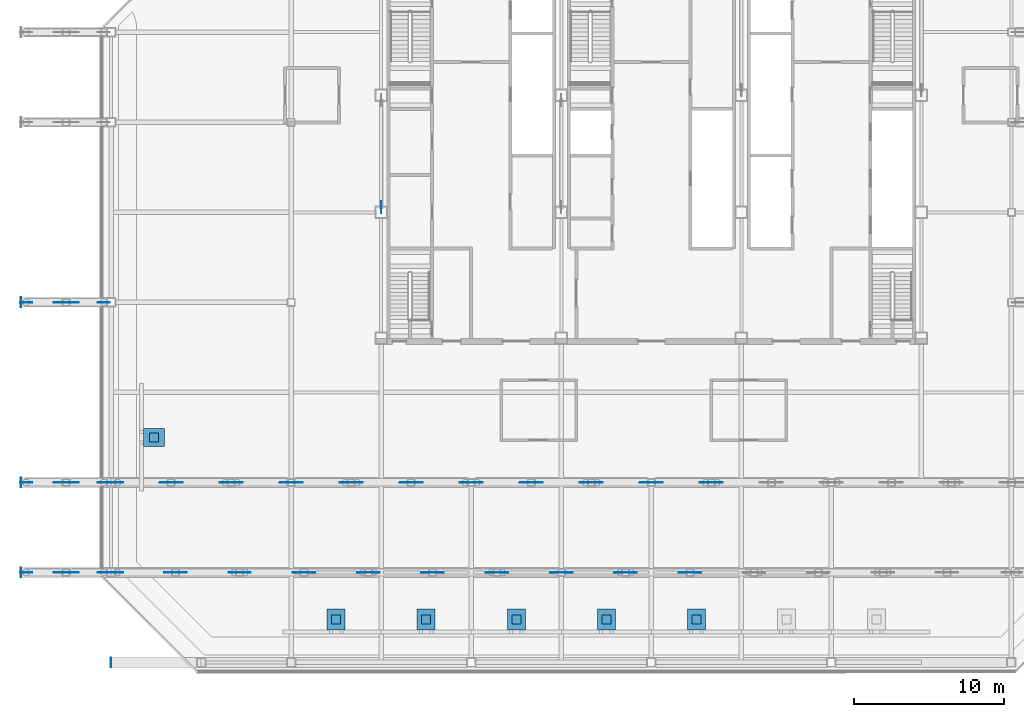
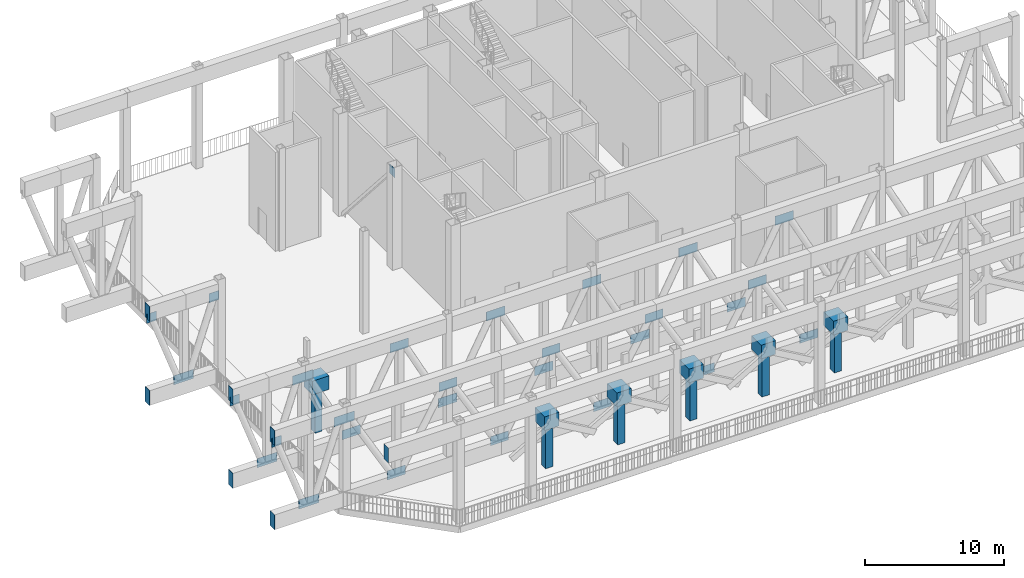
# One storey, part 11 of 22: 48 discrete accessories.
"""IFC4 building model written with IfcOpenShell, lengths in metres."""

from ifc_helpers import new_model, si_unit, direction, frame, origin, origin_2d, place, context, subcontext, project, spatial, rectangle, extrude, material, layer, layer_set, type_object, element, save


model = new_model("IFC4")

# Units and contexts
model_context = context("Model", 3, precision=1e-05, world=origin(), true_north=direction((0.0, 1.0)))
body_context = subcontext(model_context, "Body", "Model", "MODEL_VIEW")
ifc_project = project(units=[si_unit("LENGTHUNIT", "METRE"), si_unit("AREAUNIT", "SQUARE_METRE"), si_unit("VOLUMEUNIT", "CUBIC_METRE"), si_unit("PLANEANGLEUNIT", "RADIAN"), si_unit("MASSUNIT", "GRAM", prefix="KILO")], contexts=[model_context])

# Site, building, storey
site_placement = place(None, origin())
site = spatial("IfcSite", under=ifc_project, at=site_placement, CompositionType="ELEMENT")
building_placement = place(site_placement, origin())
building = spatial("IfcBuilding", under=site, at=building_placement, Name="Sorahane Residences", CompositionType="ELEMENT")
storey_placement = place(building_placement, frame((0.0, 0.0, 281.800048828125)))
storey = spatial("IfcBuildingStorey", under=building, at=storey_placement, Name="L67", CompositionType="ELEMENT", Elevation=281.800048828125)

# Discrete accessories
ifc_material_1 = material(Name="Steel Q420GJ", Category="steel")
ifc_layer_1 = layer(ifc_material_1, 0.02001953125)
ifc_layer_set_1 = layer_set([ifc_layer_1], Name="End plate Steel Q420GJ 650x1300x20")
discrete_accessory_type_1 = type_object("IfcDiscreteAccessoryType", Name="End plate Steel Q420GJ 650x1300x20", PredefinedType="USERDEFINED", material=ifc_layer_set_1)
for number, where, z_axis, x_axis, name in (
    (1, (-12.010009765625, 0.0, 7.39990234375), (0.0, 0.0, 1.0), (1.0, 0.0, 0.0), "End plate L67"),
    (2, (-18.010009765625, 12.0, 0.0), (0.0, 0.0, 1.0), (1.0, 0.0, 0.0), "End plate L67"),
    (3, (-18.010009765625, 12.0, 7.39990234375), (0.0, 0.0, 1.0), (1.0, 0.0, 0.0), "End plate L67"),
    (4, (-18.010009765625, 24.0, 0.0), (0.0, 0.0, 1.0), (1.0, 0.0, 0.0), "End plate L67"),
    (5, (-18.010009765625, 24.0, 7.39990234375), (0.0, 0.0, 1.0), (1.0, 0.0, 0.0), "End plate L67"),
    (6, (-18.010009765625, 6.0, 0.0), (0.0, 0.0, 1.0), (1.0, 0.0, 0.0), "End plate L67"),
    (7, (-18.010009765625, 6.0, 7.39990234375), (0.0, 0.0, 1.0), (1.0, 0.0, 0.0), "End plate L67"),
):
    element("IfcDiscreteAccessory", number, at=place(storey_placement, frame(where, z_axis=z_axis, x_axis=x_axis)), inside=storey, type_object=discrete_accessory_type_1, Name=name, ObjectType="END PLATE", PredefinedType="USERDEFINED", context=body_context, shape_type="SweptSolid", body=[
        extrude(rectangle(XDim=0.02001953125, YDim=0.64990234375, at=origin_2d()), origin(), (0.0, 0.0, 1.0), 1.300048828125),
    ])
ifc_material_2 = material(Name="Steel Q355B", Category="steel")
ifc_layer_2 = layer(ifc_material_2, 0.02490234375)
ifc_layer_set_2 = layer_set([ifc_layer_2], Name="Node plate Steel Q355B 25")
discrete_accessory_type_2 = type_object("IfcDiscreteAccessoryType", Name="Node plate Steel Q355B 25", PredefinedType="BRACKET", material=ifc_layer_set_2)
discrete_accessory_1_placement = place(storey_placement, frame((6.0, 30.343505859375, 7.78955078125), z_axis=(0.0, 0.0, 1.0), x_axis=(0.0, 1.0, 0.0)))
element("IfcDiscreteAccessory", 8, at=discrete_accessory_1_placement, inside=storey, type_object=discrete_accessory_type_2, Name="Node plate L67 br", PredefinedType="BRACKET", context=body_context, shape_type="SweptSolid", body=[
    extrude(rectangle(XDim=0.800048828125, YDim=0.02490234375, at=origin_2d()), origin(), (0.0, 0.0, 1.0), 0.800048828125),
])
ifc_material_3 = material(Name="Steel Q420GJ", Category="steel")
ifc_layer_3 = layer(ifc_material_3, 0.02490234375)
ifc_layer_set_3 = layer_set([ifc_layer_3], Name="Node plate Steel Q420GJ 25")
discrete_accessory_type_3 = type_object("IfcDiscreteAccessoryType", Name="Node plate Steel Q420GJ 25", PredefinedType="BRACKET", material=ifc_layer_set_3)
discrete_accessory_2_placement = place(storey_placement, frame((-14.995849609375, 6.0, 0.85107421875), z_axis=(0.0, 0.0, 1.0), x_axis=(1.0, 0.0, 0.0)))
element("IfcDiscreteAccessory", 9, at=discrete_accessory_2_placement, inside=storey, type_object=discrete_accessory_type_3, Name="Node plate L67 tr", PredefinedType="BRACKET", context=body_context, shape_type="SweptSolid", body=[
    extrude(rectangle(XDim=1.66162109375, YDim=0.02490234375, at=origin_2d()), origin(), (0.0, 0.0, 1.0), 0.802490234375),
])
discrete_accessory_3_placement = place(storey_placement, frame((-7.716064453125, 6.0, 0.833984375), z_axis=(0.0, 0.0, 1.0), x_axis=(1.0, 0.0, 0.0)))
element("IfcDiscreteAccessory", 10, at=discrete_accessory_3_placement, inside=storey, type_object=discrete_accessory_type_3, Name="Node plate L67 tr", PredefinedType="BRACKET", context=body_context, shape_type="SweptSolid", body=[
    extrude(rectangle(XDim=1.500732421875, YDim=0.02490234375, at=origin_2d()), origin(), (0.0, 0.0, 1.0), 0.800537109375),
])
for number, where, z_axis, x_axis, name in (
    (11, (0.857177734375, 6.0, 0.833984375), (0.0, 0.0, 1.0), (1.0, 0.0, 0.0), "Node plate L67 tr"),
    (12, (9.4287109375, 6.0, 0.833984375), (0.0, 0.0, 1.0), (1.0, 0.0, 0.0), "Node plate L67 tr"),
    (13, (18.0, 6.0, 0.833984375), (0.0, 0.0, 1.0), (1.0, 0.0, 0.0), "Node plate L67 tr"),
    (14, (26.5712890625, 6.0, 0.833984375), (0.0, 0.0, 1.0), (1.0, 0.0, 0.0), "Node plate L67 tr"),
):
    element("IfcDiscreteAccessory", number, at=place(storey_placement, frame(where, z_axis=z_axis, x_axis=x_axis)), inside=storey, type_object=discrete_accessory_type_3, Name=name, PredefinedType="BRACKET", context=body_context, shape_type="SweptSolid", body=[
        extrude(rectangle(XDim=1.4970703125, YDim=0.02490234375, at=origin_2d()), origin(), (0.0, 0.0, 1.0), 0.800048828125),
    ])
discrete_accessory_4_placement = place(storey_placement, frame((-17.67333984375, 6.0, 7.048828125), z_axis=(0.0, 0.0, 1.0), x_axis=(1.0, 0.0, 0.0)))
element("IfcDiscreteAccessory", 15, at=discrete_accessory_4_placement, inside=storey, type_object=discrete_accessory_type_3, Name="Node plate L67 tr", PredefinedType="BRACKET", context=body_context, shape_type="SweptSolid", body=[
    extrude(rectangle(XDim=0.800048828125, YDim=0.02490234375, at=origin_2d()), origin(), (0.0, 0.0, 1.0), 0.800048828125),
])
discrete_accessory_5_placement = place(storey_placement, frame((-12.04150390625, 6.0, 7.04638671875), z_axis=(0.0, 0.0, 1.0), x_axis=(1.0, 0.0, 0.0)))
element("IfcDiscreteAccessory", 16, at=discrete_accessory_5_placement, inside=storey, type_object=discrete_accessory_type_3, Name="Node plate L67 tr", PredefinedType="BRACKET", context=body_context, shape_type="SweptSolid", body=[
    extrude(rectangle(XDim=1.687255859375, YDim=0.02490234375, at=origin_2d()), origin(), (0.0, 0.0, 1.0), 0.818603515625),
])
for number, where, z_axis, x_axis, name in (
    (17, (-3.4287109375, 6.0, 7.06591796875), (0.0, 0.0, 1.0), (1.0, 0.0, 0.0), "Node plate L67 tr"),
    (18, (5.142822265625, 6.0, 7.06591796875), (0.0, 0.0, 1.0), (1.0, 0.0, 0.0), "Node plate L67 tr"),
    (19, (13.71435546875, 6.0, 7.06591796875), (0.0, 0.0, 1.0), (1.0, 0.0, 0.0), "Node plate L67 tr"),
    (20, (22.28564453125, 6.0, 7.06591796875), (0.0, 0.0, 1.0), (1.0, 0.0, 0.0), "Node plate L67 tr"),
):
    element("IfcDiscreteAccessory", number, at=place(storey_placement, frame(where, z_axis=z_axis, x_axis=x_axis)), inside=storey, type_object=discrete_accessory_type_3, Name=name, PredefinedType="BRACKET", context=body_context, shape_type="SweptSolid", body=[
        extrude(rectangle(XDim=1.4970703125, YDim=0.02490234375, at=origin_2d()), origin(), (0.0, 0.0, 1.0), 0.800048828125),
    ])
discrete_accessory_6_placement = place(storey_placement, frame((-14.995849609375, 12.0, 0.85107421875), z_axis=(0.0, 0.0, 1.0), x_axis=(1.0, 0.0, 0.0)))
element("IfcDiscreteAccessory", 21, at=discrete_accessory_6_placement, inside=storey, type_object=discrete_accessory_type_3, Name="Node plate L67 tr", PredefinedType="BRACKET", context=body_context, shape_type="SweptSolid", body=[
    extrude(rectangle(XDim=1.66162109375, YDim=0.02490234375, at=origin_2d()), origin(), (0.0, 0.0, 1.0), 0.802490234375),
])
discrete_accessory_7_placement = place(storey_placement, frame((-8.001708984375, 12.0, 0.837646484375), z_axis=(0.0, 0.0, 1.0), x_axis=(1.0, 0.0, 0.0)))
element("IfcDiscreteAccessory", 22, at=discrete_accessory_7_placement, inside=storey, type_object=discrete_accessory_type_3, Name="Node plate L67 tr", PredefinedType="BRACKET", context=body_context, shape_type="SweptSolid", body=[
    extrude(rectangle(XDim=1.54150390625, YDim=0.02490234375, at=origin_2d()), origin(), (0.0, 0.0, 1.0), 0.80078125),
])
for number, where, z_axis, x_axis, name in (
    (23, (0.0, 12.0, 0.837890625), (0.0, 0.0, 1.0), (1.0, 0.0, 0.0), "Node plate L67 tr"),
    (24, (8.0, 12.0, 0.837890625), (0.0, 0.0, 1.0), (1.0, 0.0, 0.0), "Node plate L67 tr"),
    (25, (16.0, 12.0, 0.837890625), (0.0, 0.0, 1.0), (1.0, 0.0, 0.0), "Node plate L67 tr"),
    (26, (24.0, 12.0, 0.837890625), (0.0, 0.0, 1.0), (1.0, 0.0, 0.0), "Node plate L67 tr"),
):
    element("IfcDiscreteAccessory", number, at=place(storey_placement, frame(where, z_axis=z_axis, x_axis=x_axis)), inside=storey, type_object=discrete_accessory_type_3, Name=name, PredefinedType="BRACKET", context=body_context, shape_type="SweptSolid", body=[
        extrude(rectangle(XDim=1.5380859375, YDim=0.02490234375, at=origin_2d()), origin(), (0.0, 0.0, 1.0), 0.800048828125),
    ])
discrete_accessory_8_placement = place(storey_placement, frame((-17.67333984375, 12.0, 7.048828125), z_axis=(0.0, 0.0, 1.0), x_axis=(1.0, 0.0, 0.0)))
element("IfcDiscreteAccessory", 27, at=discrete_accessory_8_placement, inside=storey, type_object=discrete_accessory_type_3, Name="Node plate L67 tr", PredefinedType="BRACKET", context=body_context, shape_type="SweptSolid", body=[
    extrude(rectangle(XDim=0.800048828125, YDim=0.02490234375, at=origin_2d()), origin(), (0.0, 0.0, 1.0), 0.800048828125),
])
discrete_accessory_9_placement = place(storey_placement, frame((-12.03125, 12.0, 7.046630859375), z_axis=(0.0, 0.0, 1.0), x_axis=(1.0, 0.0, 0.0)))
element("IfcDiscreteAccessory", 28, at=discrete_accessory_9_placement, inside=storey, type_object=discrete_accessory_type_3, Name="Node plate L67 tr", PredefinedType="BRACKET", context=body_context, shape_type="SweptSolid", body=[
    extrude(rectangle(XDim=1.70751953125, YDim=0.02490234375, at=origin_2d()), origin(), (0.0, 0.0, 1.0), 0.81494140625),
])
for number, where, z_axis, x_axis, name in (
    (29, (-4.0, 12.0, 7.06201171875), (0.0, 0.0, 1.0), (1.0, 0.0, 0.0), "Node plate L67 tr"),
    (30, (4.0, 12.0, 7.06201171875), (0.0, 0.0, 1.0), (1.0, 0.0, 0.0), "Node plate L67 tr"),
    (31, (12.0, 12.0, 7.06201171875), (0.0, 0.0, 1.0), (1.0, 0.0, 0.0), "Node plate L67 tr"),
    (32, (20.0, 12.0, 7.06201171875), (0.0, 0.0, 1.0), (1.0, 0.0, 0.0), "Node plate L67 tr"),
    (33, (28.0, 12.0, 7.06201171875), (0.0, 0.0, 1.0), (1.0, 0.0, 0.0), "Node plate L67 tr"),
):
    element("IfcDiscreteAccessory", number, at=place(storey_placement, frame(where, z_axis=z_axis, x_axis=x_axis)), inside=storey, type_object=discrete_accessory_type_3, Name=name, PredefinedType="BRACKET", context=body_context, shape_type="SweptSolid", body=[
        extrude(rectangle(XDim=1.5380859375, YDim=0.02490234375, at=origin_2d()), origin(), (0.0, 0.0, 1.0), 0.800048828125),
    ])
discrete_accessory_10_placement = place(storey_placement, frame((-14.995849609375, 24.0, 0.85107421875), z_axis=(0.0, 0.0, 1.0), x_axis=(1.0, 0.0, 0.0)))
element("IfcDiscreteAccessory", 34, at=discrete_accessory_10_placement, inside=storey, type_object=discrete_accessory_type_3, Name="Node plate L67 tr", PredefinedType="BRACKET", context=body_context, shape_type="SweptSolid", body=[
    extrude(rectangle(XDim=1.66162109375, YDim=0.02490234375, at=origin_2d()), origin(), (0.0, 0.0, 1.0), 0.802490234375),
])
for number, where, z_axis, x_axis, name in (
    (35, (-17.67333984375, 24.0, 7.048828125), (0.0, 0.0, 1.0), (1.0, 0.0, 0.0), "Node plate L67 tr"),
    (36, (-12.485107421875, 24.0, 7.04638671875), (0.0, 0.0, 1.0), (1.0, 0.0, 0.0), "Node plate L67 tr"),
):
    element("IfcDiscreteAccessory", number, at=place(storey_placement, frame(where, z_axis=z_axis, x_axis=x_axis)), inside=storey, type_object=discrete_accessory_type_3, Name=name, PredefinedType="BRACKET", context=body_context, shape_type="SweptSolid", body=[
        extrude(rectangle(XDim=0.800048828125, YDim=0.02490234375, at=origin_2d()), origin(), (0.0, 0.0, 1.0), 0.800048828125),
    ])
ifc_material_4 = material(Name="Black powder-coated steel mast", Category="steel")
discrete_accessory_type_4 = type_object("IfcDiscreteAccessoryType", Name="Wind generator mast dark steel 600", PredefinedType="USERDEFINED", material=ifc_material_4)
for number, where, z_axis, x_axis, name in (
    (37, (3.0, 2.85009765625, 0.0), (0.0, 0.0, 1.0), (1.0, 0.0, 0.0), "Wind generator mast L67-02"),
    (38, (9.0, 2.85009765625, 0.0), (0.0, 0.0, 1.0), (1.0, 0.0, 0.0), "Wind generator mast L67-03"),
    (39, (15.0, 2.85009765625, 0.0), (0.0, 0.0, 1.0), (1.0, 0.0, 0.0), "Wind generator mast L67-04"),
    (40, (21.0, 2.85009765625, 0.0), (0.0, 0.0, 1.0), (1.0, 0.0, 0.0), "Wind generator mast L67-05"),
    (41, (27.0, 2.85009765625, 0.0), (0.0, 0.0, 1.0), (1.0, 0.0, 0.0), "Wind generator mast L67-06"),
    (42, (-9.14990234375, 15.0, 0.0), (0.0, 0.0, 1.0), (1.0, 0.0, 0.0), "Wind generator mast L67-09"),
):
    element("IfcDiscreteAccessory", number, at=place(storey_placement, frame(where, z_axis=z_axis, x_axis=x_axis)), inside=storey, type_object=discrete_accessory_type_4, Name=name, ObjectType="Turbine mast", PredefinedType="USERDEFINED", context=body_context, shape_type="SweptSolid", body=[
        extrude(rectangle(XDim=0.60009765625, YDim=0.60009765625, at=origin_2d()), origin(), (0.0, 0.0, 1.0), 3.699951171875),
    ])
ifc_material_5 = material(Name="White powder-coated steel", Category="steel")
ifc_layer_4 = layer(ifc_material_5, 0.25)
ifc_layer_set_4 = layer_set([ifc_layer_4], Name="Wind generator nacelle white steel 1400x1200")
discrete_accessory_type_5 = type_object("IfcDiscreteAccessoryType", Name="Wind generator nacelle white steel 1400x1200", PredefinedType="USERDEFINED", material=ifc_layer_set_4)
for number, where, z_axis, x_axis, name in (
    (43, (3.0, 2.85009765625, 3.7001953125), (0.0, 0.0, 1.0), (1.0, 0.0, 0.0), "Wind generator nacelle L67-02"),
    (44, (9.0, 2.85009765625, 3.7001953125), (0.0, 0.0, 1.0), (1.0, 0.0, 0.0), "Wind generator nacelle L67-03"),
    (45, (15.0, 2.85009765625, 3.7001953125), (0.0, 0.0, 1.0), (1.0, 0.0, 0.0), "Wind generator nacelle L67-04"),
    (46, (21.0, 2.85009765625, 3.7001953125), (0.0, 0.0, 1.0), (1.0, 0.0, 0.0), "Wind generator nacelle L67-05"),
    (47, (27.0, 2.85009765625, 3.7001953125), (0.0, 0.0, 1.0), (1.0, 0.0, 0.0), "Wind generator nacelle L67-06"),
):
    element("IfcDiscreteAccessory", number, at=place(storey_placement, frame(where, z_axis=z_axis, x_axis=x_axis)), inside=storey, type_object=discrete_accessory_type_5, Name=name, ObjectType="Turbine hub cap", PredefinedType="USERDEFINED", context=body_context, shape_type="SweptSolid", body=[
        extrude(rectangle(XDim=1.199951171875, YDim=1.39990234375, at=origin_2d()), origin(), (0.0, 0.0, 1.0), 1.199951171875),
    ])
discrete_accessory_11_placement = place(storey_placement, frame((-9.14990234375, 15.0, 3.7001953125), z_axis=(0.0, 0.0, 1.0), x_axis=(1.0, 0.0, 0.0)))
element("IfcDiscreteAccessory", 48, at=discrete_accessory_11_placement, inside=storey, type_object=discrete_accessory_type_5, Name="Wind generator nacelle L67-09", ObjectType="Turbine hub cap", PredefinedType="USERDEFINED", context=body_context, shape_type="SweptSolid", body=[
    extrude(rectangle(XDim=1.39990234375, YDim=1.199951171875, at=origin_2d()), origin(), (0.0, 0.0, 1.0), 1.199951171875),
])

save(model, "model.ifc")
